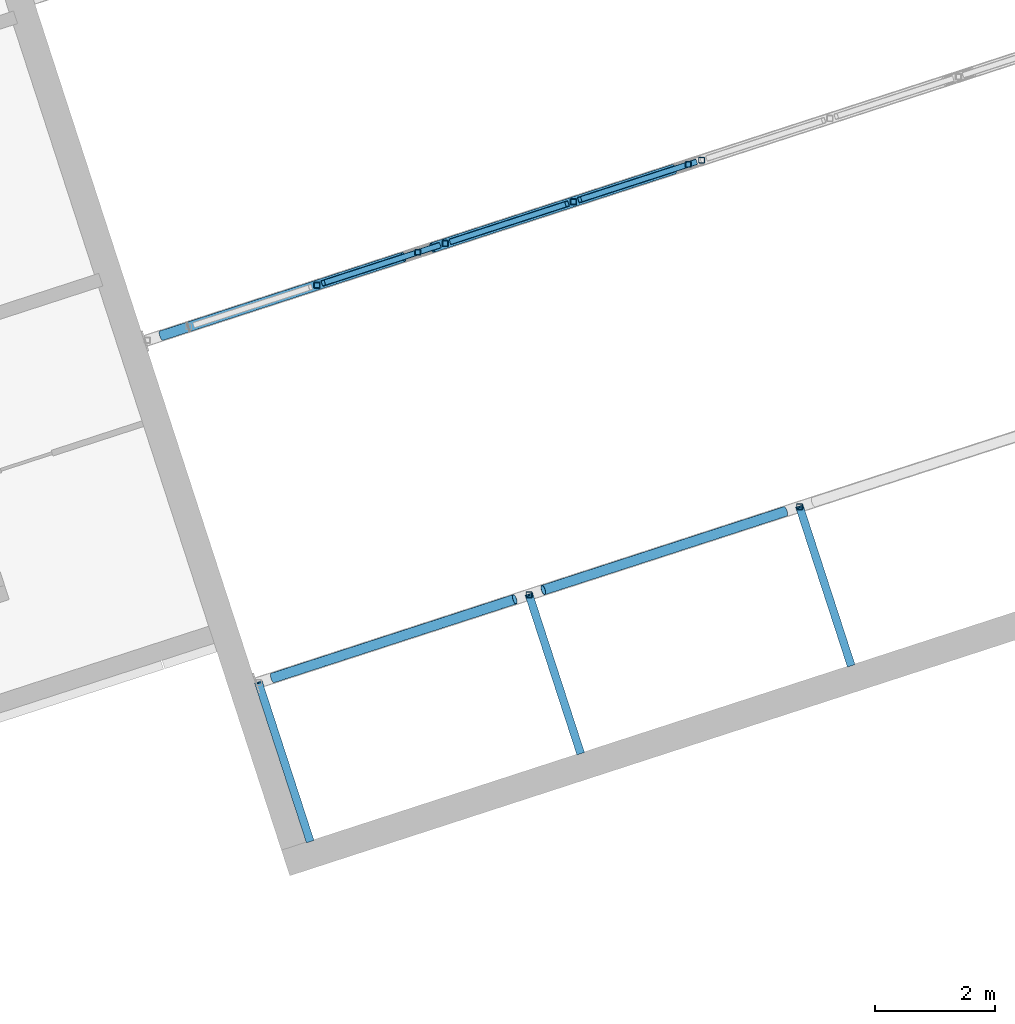
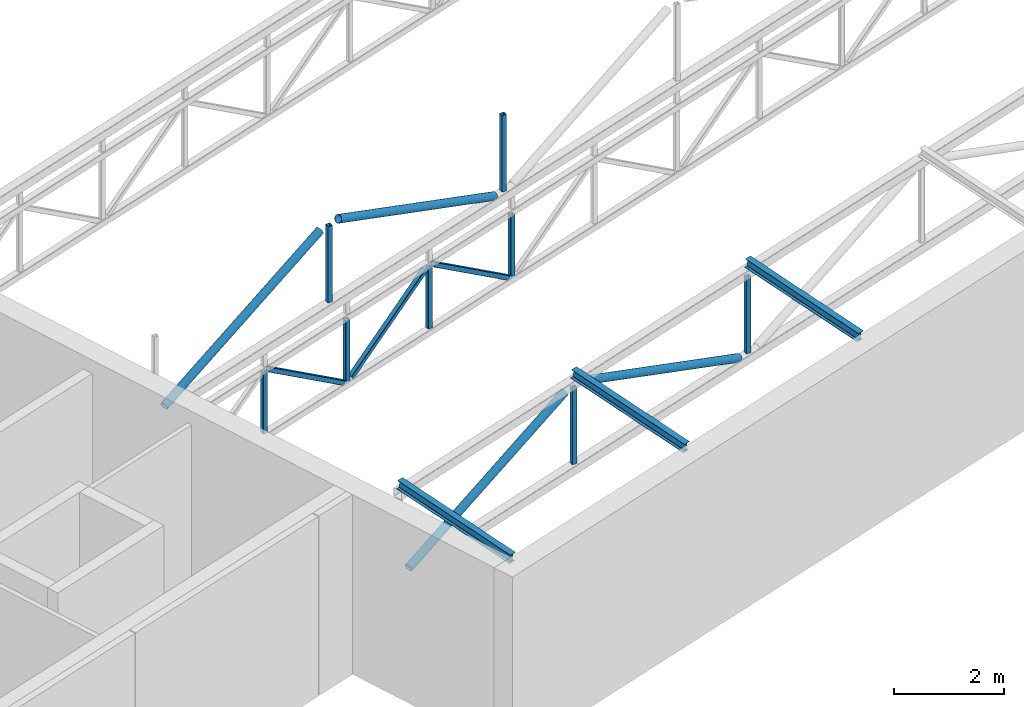
# One storey, part 8 of 81: 18 members.
"""IFC4 building model written with IfcOpenShell, lengths in metres."""

from ifc_helpers import new_model, si_unit, direction, frame, origin, origin_2d, place, context, subcontext, project, spatial, hollow_rectangle, hollow_circle, i_section, extrude, material, material_profile, profile_set, type_object, element, save


model = new_model("IFC4")

# Units and contexts
model_context = context("Model", 3, precision=1e-05, world=origin(), true_north=direction((0.0, 1.0)))
body_context = subcontext(model_context, "Body", "Model", "MODEL_VIEW")
ifc_project = project(units=[si_unit("LENGTHUNIT", "METRE"), si_unit("AREAUNIT", "SQUARE_METRE"), si_unit("VOLUMEUNIT", "CUBIC_METRE"), si_unit("PLANEANGLEUNIT", "RADIAN"), si_unit("MASSUNIT", "GRAM", prefix="KILO")], contexts=[model_context])

# Site, building, storey
site_placement = place(None, origin())
site = spatial("IfcSite", under=ifc_project, at=site_placement, CompositionType="ELEMENT")
building_placement = place(site_placement, origin())
building = spatial("IfcBuilding", under=site, at=building_placement, Name="Tuart Plaza Theatre", CompositionType="ELEMENT")
storey_placement = place(building_placement, frame((0.0, 0.0, 17.5)))
storey = spatial("IfcBuildingStorey", under=building, at=storey_placement, Name="L04", CompositionType="ELEMENT", Elevation=17.5)

# Members
ifc_material_1 = material(Name="Steel Grade C350L0", Category="steel")
ifc_material_profile_1 = material_profile(ifc_material_1, hollow_rectangle(XDim=0.10009765625, YDim=0.10009765625, WallThickness=0.006103515625, InnerFilletRadius=0.006103515625, OuterFilletRadius=0.011962890625, at=origin_2d()), Name="100x100x6 SHS")
ifc_profile_set_1 = profile_set([ifc_material_profile_1], Name="Steel Grade C350L0")
member_type_1 = type_object("IfcMemberType", Name="MEMBER Brace 100x100x6 SHS", PredefinedType="BRACE", material=ifc_profile_set_1)
member_1_placement = place(storey_placement, frame((50.414794921875, 51.597900390625, 2.449462890625), z_axis=(0.791072972357, 0.257066093415, -0.555086097847), x_axis=(-0.309050599318, 0.951045596731, 0.0)))
element("IfcMember", 1, at=member_1_placement, inside=storey, type_object=member_type_1, Name="BR108", PredefinedType="BRACE", context=body_context, shape_type="SweptSolid", body=[
    extrude(hollow_rectangle(XDim=0.10009765625, YDim=0.10009765625, WallThickness=0.006103515625, InnerFilletRadius=0.006103515625, OuterFilletRadius=0.011962890625, at=origin_2d()), origin(), (0.0, 0.0, 1.0), 2.43212890625),
])
member_2_placement = place(storey_placement, frame((52.552490234375, 52.29248046875, 1.099365234375), z_axis=(0.7911105294, 0.257045682034, 0.555042023292), x_axis=(-0.309015134011, 0.951057120762, 0.0)))
element("IfcMember", 2, at=member_2_placement, inside=storey, type_object=member_type_1, Name="BR109", PredefinedType="BRACE", context=body_context, shape_type="SweptSolid", body=[
    extrude(hollow_rectangle(XDim=0.10009765625, YDim=0.10009765625, WallThickness=0.006103515625, InnerFilletRadius=0.006103515625, OuterFilletRadius=0.011962890625, at=origin_2d()), origin(), (0.0, 0.0, 1.0), 2.432373046875),
])
member_3_placement = place(storey_placement, frame((54.6904296875, 52.9873046875, 2.449462890625), z_axis=(0.791093381678, 0.256972345781, -0.555100418815), x_axis=(-0.308941443477, 0.951081060953, 0.0)))
element("IfcMember", 3, at=member_3_placement, inside=storey, type_object=member_type_1, Name="BR110", PredefinedType="BRACE", context=body_context, shape_type="SweptSolid", body=[
    extrude(hollow_rectangle(XDim=0.10009765625, YDim=0.10009765625, WallThickness=0.006103515625, InnerFilletRadius=0.006103515625, OuterFilletRadius=0.011962890625, at=origin_2d()), origin(), (0.0, 0.0, 1.0), 2.43212890625),
])
ifc_material_2 = material(Name="Steel Grade C350L0", Category="steel")
ifc_material_profile_2 = material_profile(ifc_material_2, hollow_circle(Radius=0.084228515625, WallThickness=0.00634765625, at=origin_2d()), Name="168.3x6.4 CHS")
ifc_profile_set_2 = profile_set([ifc_material_profile_2], Name="Steel Grade C350L0")
member_type_2 = type_object("IfcMemberType", Name="MEMBER Brace 168.3x6.4 CHS", PredefinedType="BRACE", material=ifc_profile_set_2)
for number, where, z_axis, x_axis, name in (
    (4, (49.57177734375, 45.015380859375, 2.307373046875), (0.882836366836, 0.286800293673, 0.371948304125), (-0.308967658636, 0.951072545034, 0.0), "BR1"),
    (5, (54.08154296875, 46.48046875, 4.00732421875), (0.882811054717, 0.286862844235, -0.371960146073), (-0.309036623614, 0.951050138145, 0.0), "BR2"),
):
    element("IfcMember", number, at=place(storey_placement, frame(where, z_axis=z_axis, x_axis=x_axis)), inside=storey, type_object=member_type_2, Name=name, PredefinedType="BRACE", context=body_context, shape_type="SweptSolid", body=[
        extrude(hollow_circle(Radius=0.084228515625, WallThickness=0.00634765625, at=origin_2d()), origin(), (0.0, 0.0, 1.0), 4.5703125),
    ])
for number, where, z_axis, x_axis, name in (
    (6, (47.7177734375, 50.7216796875, 3.099365234375), (0.882805299901, 0.28684361714, 0.371988631241), (-0.309019710385, 0.951055633806, 0.0), "BR7"),
    (7, (52.227294921875, 52.186767578125, 4.799560546875), (0.882805299901, 0.28684361714, -0.371988631241), (-0.309019710385, 0.951055633806, 0.0), "BR8"),
):
    element("IfcMember", number, at=place(storey_placement, frame(where, z_axis=z_axis, x_axis=x_axis)), inside=storey, type_object=member_type_2, Name=name, PredefinedType="BRACE", context=body_context, shape_type="SweptSolid", body=[
        extrude(hollow_circle(Radius=0.084228515625, WallThickness=0.00634765625, at=origin_2d()), origin(), (0.0, 0.0, 1.0), 4.570556640625),
    ])
ifc_material_3 = material(Name="Steel Grade C350L0", Category="steel")
ifc_material_profile_3 = material_profile(ifc_material_3, hollow_rectangle(XDim=0.10009765625, YDim=0.10009765625, WallThickness=0.006103515625, InnerFilletRadius=0.006103515625, OuterFilletRadius=0.011962890625, at=origin_2d()), Name="100x100x6 SHS")
ifc_profile_set_3 = profile_set([ifc_material_profile_3], Name="Steel Grade C350L0")
member_type_3 = type_object("IfcMemberType", Name="MEMBER Post 100x100x6 SHS", PredefinedType="POST", material=ifc_profile_set_3)
for number, where, z_axis, x_axis, name in (
    (8, (53.843994140625, 46.4033203125, 2.307373046875), (0.0, 0.0, 1.0), (1.0, 0.0, 0.0), "PO2"),
    (9, (58.353759765625, 47.86865234375, 2.307373046875), (0.0, 0.0, 1.0), (1.0, 0.0, 0.0), "PO3"),
):
    element("IfcMember", number, at=place(storey_placement, frame(where, z_axis=z_axis, x_axis=x_axis)), inside=storey, type_object=member_type_3, Name=name, PredefinedType="POST", context=body_context, shape_type="SweptSolid", body=[
        extrude(hollow_rectangle(XDim=0.10009765625, YDim=0.10009765625, WallThickness=0.006103515625, InnerFilletRadius=0.006103515625, OuterFilletRadius=0.011962890625, at=origin_2d()), origin(), (0.0, 0.0, 1.0), 1.699951171875),
    ])
for number, where, z_axis, x_axis, name in (
    (10, (51.989990234375, 52.10986328125, 3.099365234375), (0.0, 0.0, 1.0), (1.0, 0.0, 0.0), "PO9"),
    (11, (56.49951171875, 53.574951171875, 3.099365234375), (0.0, 0.0, 1.0), (1.0, 0.0, 0.0), "PO10"),
):
    element("IfcMember", number, at=place(storey_placement, frame(where, z_axis=z_axis, x_axis=x_axis)), inside=storey, type_object=member_type_3, Name=name, PredefinedType="POST", context=body_context, shape_type="SweptSolid", body=[
        extrude(hollow_rectangle(XDim=0.10009765625, YDim=0.10009765625, WallThickness=0.006103515625, InnerFilletRadius=0.006103515625, OuterFilletRadius=0.011962890625, at=origin_2d()), origin(), (0.0, 0.0, 1.0), 1.7001953125),
    ])
for number, where, z_axis, x_axis, name in (
    (12, (50.307861328125, 51.563232421875, 1.099365234375), (0.0, 0.0, 1.0), (1.0, 0.0, 0.0), "PO110"),
    (13, (52.44580078125, 52.2578125, 1.099365234375), (0.0, 0.0, 1.0), (1.0, 0.0, 0.0), "PO111"),
    (14, (54.58349609375, 52.952392578125, 1.099365234375), (0.0, 0.0, 1.0), (1.0, 0.0, 0.0), "PO112"),
    (15, (56.721435546875, 53.647216796875, 1.099365234375), (0.0, 0.0, 1.0), (1.0, 0.0, 0.0), "PO113"),
):
    element("IfcMember", number, at=place(storey_placement, frame(where, z_axis=z_axis, x_axis=x_axis)), inside=storey, type_object=member_type_3, Name=name, PredefinedType="POST", context=body_context, shape_type="SweptSolid", body=[
        extrude(hollow_rectangle(XDim=0.10009765625, YDim=0.10009765625, WallThickness=0.006103515625, InnerFilletRadius=0.006103515625, OuterFilletRadius=0.011962890625, at=origin_2d()), origin(), (0.0, 0.0, 1.0), 1.35009765625),
    ])
ifc_material_4 = material(Name="Steel Grade 300", Category="steel")
ifc_material_profile_4 = material_profile(ifc_material_4, i_section(OverallWidth=0.133056640625, OverallDepth=0.202880859375, WebThickness=0.005859375, FlangeThickness=0.0078125, FilletRadius=0.0087890625, at=origin_2d()), Name="200UB25.4")
ifc_profile_set_4 = profile_set([ifc_material_profile_4], Name="Steel Grade 300")
member_type_4 = type_object("IfcMemberType", Name="MEMBER Purlin 200UB25.4", PredefinedType="PURLIN", material=ifc_profile_set_4)
for number, where, z_axis, x_axis, name in (
    (16, (50.19189453125, 42.299072265625, 3.95654296875), (-0.306327065915, 0.942880291158, 0.130921675951), (-0.951066390921, -0.30898660175, 0.0), "PU1"),
    (17, (54.70166015625, 43.76416015625, 3.95654296875), (-0.306406101038, 0.942855095993, 0.130918177529), (-0.951040533825, -0.309066179031, 0.0), "PU7"),
    (18, (59.211181640625, 45.2294921875, 3.95654296875), (-0.306327065915, 0.942880291158, 0.130921675951), (-0.951066390921, -0.30898660175, 0.0), "PU13"),
):
    element("IfcMember", number, at=place(storey_placement, frame(where, z_axis=z_axis, x_axis=x_axis)), inside=storey, type_object=member_type_4, Name=name, PredefinedType="PURLIN", context=body_context, shape_type="SweptSolid", body=[
        extrude(i_section(OverallWidth=0.133056640625, OverallDepth=0.202880859375, WebThickness=0.005859375, FlangeThickness=0.0078125, FilletRadius=0.0087890625, at=origin_2d()), origin(), (0.0, 0.0, 1.0), 2.799072265625),
    ])

save(model, "model.ifc")
